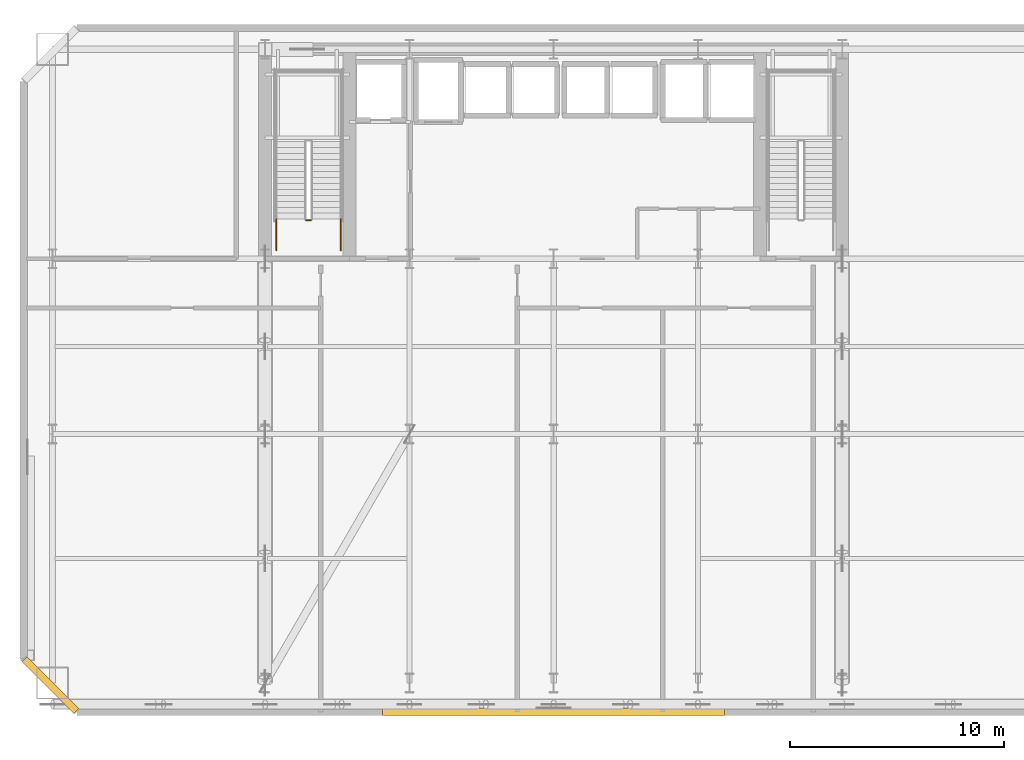
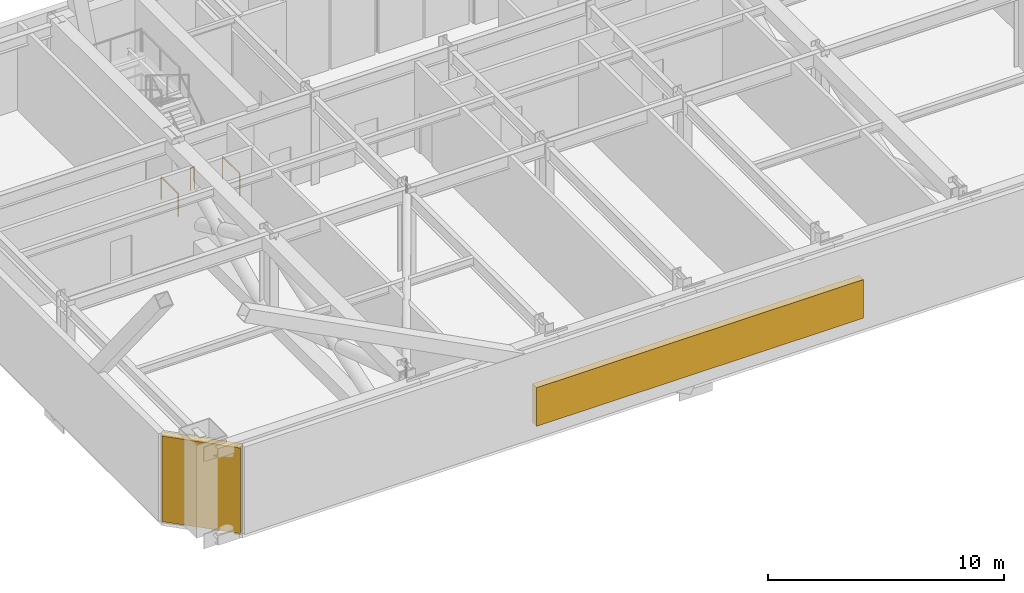
# One storey, part 12 of 17: 3 railings, 2 shading devices.
"""IFC4 building model written with IfcOpenShell, lengths in metres."""

from ifc_helpers import new_model, si_unit, direction, frame, origin, origin_2d, place, context, subcontext, project, spatial, rectangle, extrude, material, layer, layer_set, type_object, element, save


model = new_model("IFC4")

# Units and contexts
model_context = context("Model", 3, precision=1e-05, world=origin(), true_north=direction((0.0, 1.0)))
body_context = subcontext(model_context, "Body", "Model", "MODEL_VIEW")
ifc_project = project(units=[si_unit("LENGTHUNIT", "METRE"), si_unit("AREAUNIT", "SQUARE_METRE"), si_unit("VOLUMEUNIT", "CUBIC_METRE"), si_unit("PLANEANGLEUNIT", "RADIAN"), si_unit("MASSUNIT", "GRAM", prefix="KILO")], contexts=[model_context])

# Site, building, storey
site_placement = place(None, origin())
site = spatial("IfcSite", under=ifc_project, at=site_placement, CompositionType="ELEMENT")
building_placement = place(site_placement, origin())
building = spatial("IfcBuilding", under=site, at=building_placement, Name="Haevon Station Towers", CompositionType="ELEMENT")
storey_placement = place(building_placement, frame((0.0, 0.0, 81.89990234375)))
storey = spatial("IfcBuildingStorey", under=building, at=storey_placement, Name="L21", CompositionType="ELEMENT", Elevation=81.89990234375)

# Railings
ifc_material_1 = material(Name="Steel S355", Category="steel")
railing_type = type_object("IfcRailingType", Name="GRD-STR1200", PredefinedType="GUARDRAIL", material=ifc_material_1)
railing_placement = place(storey_placement, frame((26.1298828125, 40.0, 0.0)))
element("IfcRailing", 1, at=railing_placement, inside=storey, type_object=railing_type, Name="L21 ST1 Stair Guard 7", PredefinedType="GUARDRAIL", context=body_context, shape_type="SweptSolid", body=[
    extrude(rectangle(XDim=0.048095703125, YDim=0.048095703125, at=origin_2d()), frame((0.0, 0.0, 1.17578125), z_axis=(-1.0, 0.0, 0.0), x_axis=(0.0, -1.0, 0.0)), (0.0, 0.0, 1.0), 0.199951171875),
    extrude(rectangle(XDim=0.0419921875, YDim=0.0419921875, at=origin_2d()), origin(), (0.0, 0.0, 1.0), 1.15185546875),
    extrude(rectangle(XDim=0.0419921875, YDim=0.0419921875, at=origin_2d()), frame((-0.199951171875, 0.0, 0.0)), (0.0, 0.0, 1.0), 1.15185546875),
])
for number, where, name in (
    (2, (27.530029296875, 38.60009765625, 0.0), "L21 ST1 Stair Guard 8"),
    (3, (24.530029296875, 38.60009765625, 0.0), "L21 ST1 Stair Guard 9"),
):
    element("IfcRailing", number, at=place(storey_placement, frame(where)), inside=storey, type_object=railing_type, Name=name, PredefinedType="GUARDRAIL", context=body_context, shape_type="SweptSolid", body=[
        extrude(rectangle(XDim=0.048095703125, YDim=0.048095703125, at=origin_2d()), frame((0.0, 0.0, 1.17578125), z_axis=(0.0, 1.0, 0.0), x_axis=(-1.0, 0.0, 0.0)), (0.0, 0.0, 1.0), 1.449951171875),
        extrude(rectangle(XDim=0.0419921875, YDim=0.0419921875, at=origin_2d()), origin(), (0.0, 0.0, 1.0), 1.15185546875),
        extrude(rectangle(XDim=0.0419921875, YDim=0.0419921875, at=origin_2d()), frame((0.0, 1.449951171875, 0.0)), (0.0, 0.0, 1.0), 1.15185546875),
    ])

# Shading devices
ifc_material_2 = material(Name="Anodised aluminium 6063-T6", Category="aluminium")
ifc_layer_1 = layer(ifc_material_2, 0.1201171875)
ifc_layer_set_1 = layer_set([ifc_layer_1], Name="Anodised aluminium 6063-T6")
shading_device_type_1 = type_object("IfcShadingDeviceType", Name="SHD-REF-LOUVRE", PredefinedType="USERDEFINED", material=ifc_layer_set_1)
shading_device_1_placement = place(storey_placement, frame((37.5, 17.0, 0.60009765625), z_axis=(0.0, 0.0, 1.0), x_axis=(1.0, 0.0, 0.0)))
element("IfcShadingDevice", 4, at=shading_device_1_placement, inside=storey, type_object=shading_device_type_1, Name="Tower 1 L21 Refuge Plant Weather Louvre", ObjectType="LOUVRE", PredefinedType="USERDEFINED", context=body_context, shape_type="SweptSolid", body=[
    extrude(rectangle(XDim=16.0, YDim=0.360107421875, at=origin_2d()), origin(), (0.0, 0.0, 1.0), 2.0),
])
ifc_layer_2 = layer(ifc_material_2, 0.139892578125)
ifc_layer_set_2 = layer_set([ifc_layer_2], Name="Anodised aluminium 6063-T6")
shading_device_type_2 = type_object("IfcShadingDeviceType", Name="SHD-WIND-BAFFLE", PredefinedType="SHUTTER", material=ifc_layer_set_2)
shading_device_2_placement = place(storey_placement, frame((13.949951171875, 18.25, 0.05029296875), z_axis=(0.0, 0.0, 1.0), x_axis=(-0.707106781187, 0.707106781187, 0.0)))
element("IfcShadingDevice", 5, at=shading_device_2_placement, inside=storey, type_object=shading_device_type_2, Name="Tower 1 L21 Wind-Corner Aerofoil Baffle SWC", PredefinedType="SHUTTER", context=body_context, shape_type="SweptSolid", body=[
    extrude(rectangle(XDim=3.435546875, YDim=0.340087890625, at=origin_2d()), origin(), (0.0, 0.0, 1.0), 4.429931640625),
])

save(model, "model.ifc")
